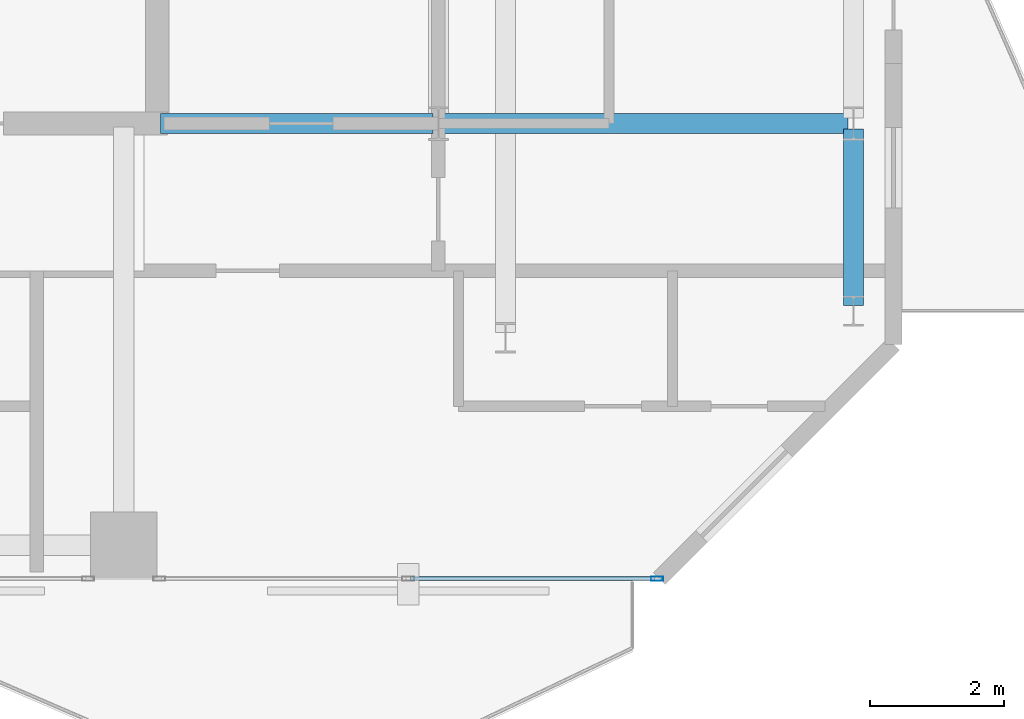
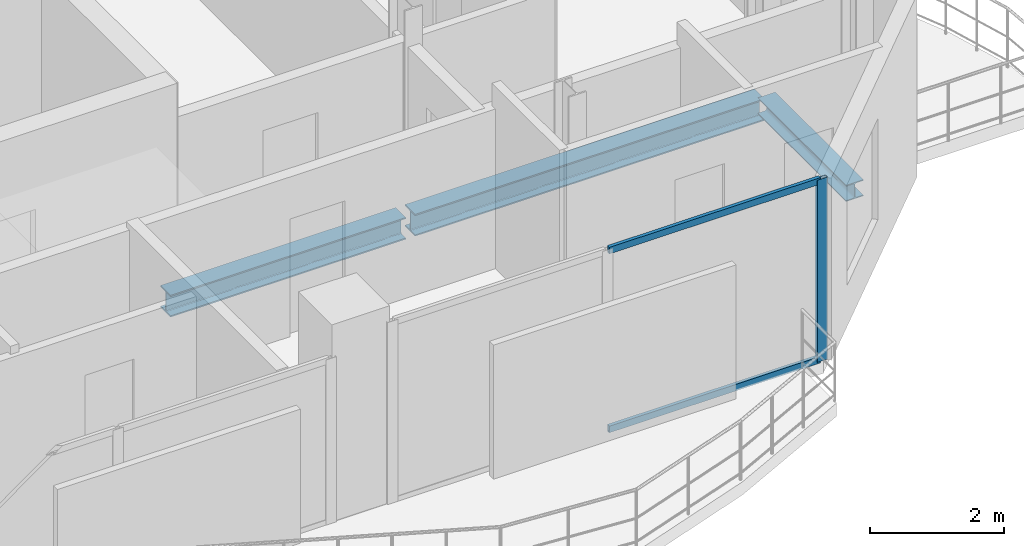
# One storey, part 13 of 23: 3 beams, 3 members, 1 element without a shape of its own.
"""IFC4 building model written with IfcOpenShell, lengths in metres."""

from ifc_helpers import new_model, si_unit, direction, frame, origin, origin_2d, place, context, subcontext, project, spatial, hollow_rectangle, i_section, extrude, material, layer, layer_set, material_profile, profile_set, type_object, element, aggregate, save


model = new_model("IFC4")

# Units and contexts
model_context = context("Model", 3, precision=1e-05, world=origin(), true_north=direction((0.0, 1.0)))
body_context = subcontext(model_context, "Body", "Model", "MODEL_VIEW")
ifc_project = project(units=[si_unit("LENGTHUNIT", "METRE"), si_unit("AREAUNIT", "SQUARE_METRE"), si_unit("VOLUMEUNIT", "CUBIC_METRE"), si_unit("PLANEANGLEUNIT", "RADIAN"), si_unit("MASSUNIT", "GRAM", prefix="KILO")], contexts=[model_context])

# Site, building, storey
site_placement = place(None, origin())
site = spatial("IfcSite", under=ifc_project, at=site_placement, CompositionType="ELEMENT")
building_placement = place(site_placement, origin())
building = spatial("IfcBuilding", under=site, at=building_placement, Name="Catumbela Crestline Tower", CompositionType="ELEMENT")
storey_placement = place(building_placement, frame((0.0, 0.0, 193.8)))
storey = spatial("IfcBuildingStorey", under=building, at=storey_placement, Name="L50", CompositionType="ELEMENT", Elevation=193.8)

# Beams
ifc_material_1 = material(Name="Structural steel S355J2", Category="steel")
ifc_material_profile_1 = material_profile(ifc_material_1, i_section(OverallWidth=0.3, OverallDepth=0.4, WebThickness=0.0135, FlangeThickness=0.024, FilletRadius=0.027, at=origin_2d()), Name="HEB 400")
ifc_profile_set_1 = profile_set([ifc_material_profile_1], Name="Structural steel S355J2")
beam_type_1 = type_object("IfcBeamType", Name="BG-HEB400", PredefinedType="BEAM", material=ifc_profile_set_1)
beam_1_placement = place(storey_placement, frame((40.05, 30.8, -0.46), z_axis=(1.0, 0.0, 0.0), x_axis=(0.0, 1.0, 0.0)))
element("IfcBeam", 1, at=beam_1_placement, inside=storey, type_object=beam_type_1, Name="L50 Beam BM-L50-M08", PredefinedType="BEAM", context=body_context, shape_type="SweptSolid", body=[
    extrude(i_section(OverallWidth=0.3, OverallDepth=0.4, WebThickness=0.0135, FlangeThickness=0.024, FilletRadius=0.027, at=origin_2d()), origin(), (0.0, 0.0, 1.0), 4.07),
])
beam_2_placement = place(storey_placement, frame((44.28, 30.8, -0.46), z_axis=(1.0, 0.0, 0.0), x_axis=(0.0, 1.0, 0.0)))
element("IfcBeam", 2, at=beam_2_placement, inside=storey, type_object=beam_type_1, Name="L50 Beam BM-L50-M09", PredefinedType="BEAM", context=body_context, shape_type="SweptSolid", body=[
    extrude(i_section(OverallWidth=0.3, OverallDepth=0.4, WebThickness=0.0135, FlangeThickness=0.024, FilletRadius=0.027, at=origin_2d()), origin(), (0.0, 0.0, 1.0), 6.04),
])

# Curtain wall, member
ifc_material_2 = material(Name="Aluminium alloy AW-6060-T66", Category="aluminium")
ifc_layer = layer(ifc_material_2, 0.18, Name="Aluminium alloy AW-6060-T66")
ifc_layer_set = layer_set([ifc_layer], Name="Aluminium alloy AW-6060-T66")
curtain_wall_type = type_object("IfcCurtainWallType", Name="CWU-Z3", PredefinedType="USERDEFINED", material=ifc_layer_set)
curtain_wall_placement = place(storey_placement, origin())
curtain_wall = element("IfcCurtainWall", 3, at=curtain_wall_placement, inside=storey, type_object=curtain_wall_type, Name="L50 Unitised Curtain Wall CW-L50-E3S3", ObjectType="UNITISED", PredefinedType="USERDEFINED")
ifc_material_profile_2 = material_profile(ifc_material_2, hollow_rectangle(XDim=0.065, YDim=0.18, WallThickness=0.004, at=origin_2d()), Name="ALU 180x65x4")
ifc_profile_set_2 = profile_set([ifc_material_profile_2], Name="Aluminium alloy AW-6060-T66")
member_type_1 = type_object("IfcMemberType", Name="MUL-180X65", PredefinedType="MULLION", material=ifc_profile_set_2)
member_1_placement = place(storey_placement, frame((47.4675, 24.0, 0.0), z_axis=(0.0, 0.0, 1.0), x_axis=(0.0, 1.0, 0.0)))
member_1 = element("IfcMember", 4, at=member_1_placement, type_object=member_type_1, Name="CWU-Z3 mullion 3", PredefinedType="MULLION", context=body_context, shape_type="SweptSolid", body=[
    extrude(hollow_rectangle(XDim=0.065, YDim=0.18, WallThickness=0.004, at=origin_2d()), origin(), (0.0, 0.0, 1.0), 3.33),
])

# Beam
ifc_material_profile_3 = material_profile(ifc_material_1, i_section(OverallWidth=0.3, OverallDepth=0.3, WebThickness=0.011, FlangeThickness=0.019, FilletRadius=0.027, at=origin_2d()), Name="HEB 300")
ifc_profile_set_3 = profile_set([ifc_material_profile_3], Name="Structural steel S355J2")
beam_type_2 = type_object("IfcBeamType", Name="BS-HEB300", PredefinedType="SPANDREL", material=ifc_profile_set_3)
beam_3_placement = place(storey_placement, frame((50.4, 28.08, -0.41), z_axis=(0.0, 1.0, 0.0), x_axis=(-1.0, 0.0, 0.0)))
element("IfcBeam", 5, at=beam_3_placement, inside=storey, type_object=beam_type_2, Name="L50 Spandrel SP-L50-SN23", PredefinedType="SPANDREL", context=body_context, shape_type="SweptSolid", body=[
    extrude(i_section(OverallWidth=0.3, OverallDepth=0.3, WebThickness=0.011, FlangeThickness=0.019, FilletRadius=0.027, at=origin_2d()), origin(), (0.0, 0.0, 1.0), 2.64),
])

# Member
ifc_material_profile_4 = material_profile(ifc_material_2, hollow_rectangle(XDim=0.06, YDim=0.12, WallThickness=0.0035, at=origin_2d()), Name="ALU 120x60x3.5")
ifc_profile_set_4 = profile_set([ifc_material_profile_4], Name="Aluminium alloy AW-6060-T66")
member_type_2 = type_object("IfcMemberType", Name="TRN-120X60", PredefinedType="USERDEFINED", material=ifc_profile_set_4)
member_2_placement = place(storey_placement, frame((43.7825, 24.0, 0.03), z_axis=(1.0, 0.0, 0.0), x_axis=(0.0, 1.0, 0.0)))
member_2 = element("IfcMember", 6, at=member_2_placement, type_object=member_type_2, Name="CWU-Z3 transom 2.1", ObjectType="TRANSOM", PredefinedType="USERDEFINED", context=body_context, shape_type="SweptSolid", body=[
    extrude(hollow_rectangle(XDim=0.06, YDim=0.12, WallThickness=0.0035, at=origin_2d()), origin(), (0.0, 0.0, 1.0), 3.6525),
])

member_3_placement = place(storey_placement, frame((43.7825, 24.0, 3.3), z_axis=(1.0, 0.0, 0.0), x_axis=(0.0, 1.0, 0.0)))
member_3 = element("IfcMember", 7, at=member_3_placement, type_object=member_type_2, Name="CWU-Z3 transom 2.2", ObjectType="TRANSOM", PredefinedType="USERDEFINED", context=body_context, shape_type="SweptSolid", body=[
    extrude(hollow_rectangle(XDim=0.06, YDim=0.12, WallThickness=0.0035, at=origin_2d()), origin(), (0.0, 0.0, 1.0), 3.6525),
])

aggregate(curtain_wall, [member_1, member_2, member_3])

save(model, "model.ifc")
